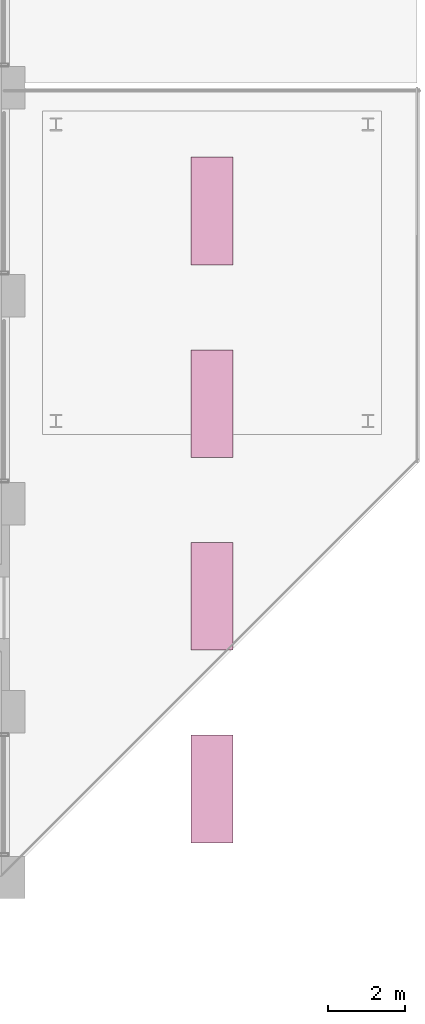
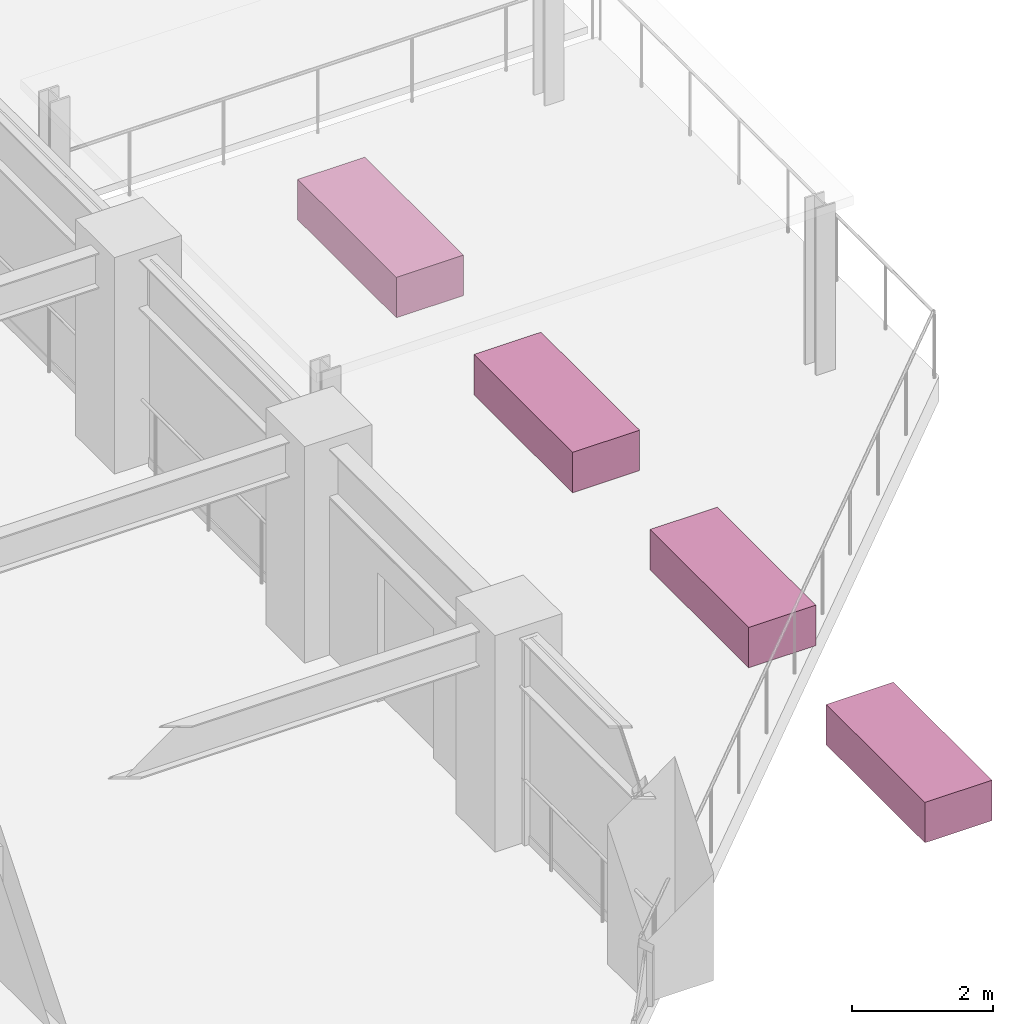
# One storey, part 30 of 30: 4 furnishings.
"""IFC4 building model written with IfcOpenShell, lengths in metres."""

from ifc_helpers import new_model, si_unit, direction, frame, origin, origin_2d, place, context, subcontext, project, spatial, rectangle, extrude, material, type_object, element, save


model = new_model("IFC4")

# Units and contexts
model_context = context("Model", 3, precision=1e-05, world=origin(), true_north=direction((0.0, 1.0)))
body_context = subcontext(model_context, "Body", "Model", "MODEL_VIEW")
ifc_project = project(units=[si_unit("LENGTHUNIT", "METRE"), si_unit("AREAUNIT", "SQUARE_METRE"), si_unit("VOLUMEUNIT", "CUBIC_METRE"), si_unit("PLANEANGLEUNIT", "RADIAN"), si_unit("MASSUNIT", "GRAM", prefix="KILO")], contexts=[model_context])

# Site, building, storey
site_placement = place(None, origin())
site = spatial("IfcSite", under=ifc_project, at=site_placement, CompositionType="ELEMENT")
building_placement = place(site_placement, origin())
building = spatial("IfcBuilding", under=site, at=building_placement, Name="Surkhivell Harbour Commons", CompositionType="ELEMENT")
storey_placement = place(building_placement, frame((0.0, 0.0, 83.25)))
storey = spatial("IfcBuildingStorey", under=building, at=storey_placement, Name="L21", CompositionType="ELEMENT", Elevation=83.25)

# Furnishings
ifc_material = material(Name="Kiln-brick faced precast concrete C40/50 and planted soil", Category="masonry")
furniture_type = type_object("IfcFurnitureType", Name="FUR-PLN-SKY", AssemblyPlace="NOTDEFINED", PredefinedType="USERDEFINED", material=ifc_material)
for number, where, z_axis, x_axis, name in (
    (1, (27.0, -2.0, 0.0), (0.0, 0.0, 1.0), (0.0, 1.0, 0.0), "L21 Sky-Garden Planter PLN-1"),
    (2, (27.0, 3.0, 0.0), (0.0, 0.0, 1.0), (0.0, 1.0, 0.0), "L21 Sky-Garden Planter PLN-2"),
    (3, (27.0, 8.0, 0.0), (0.0, 0.0, 1.0), (0.0, 1.0, 0.0), "L21 Sky-Garden Planter PLN-3"),
    (4, (27.0, 13.0, 0.0), (0.0, 0.0, 1.0), (0.0, 1.0, 0.0), "L21 Sky-Garden Planter PLN-4"),
):
    element("IfcFurnishingElement", number, at=place(storey_placement, frame(where, z_axis=z_axis, x_axis=x_axis)), inside=storey, type_object=furniture_type, Name=name, ObjectType="SKY-GARDEN PLANTER", context=body_context, shape_type="SweptSolid", body=[
        extrude(rectangle(XDim=2.800048828125, YDim=1.10009765625, at=origin_2d()), origin(), (0.0, 0.0, 1.0), 0.699951171875),
    ])

save(model, "model.ifc")
